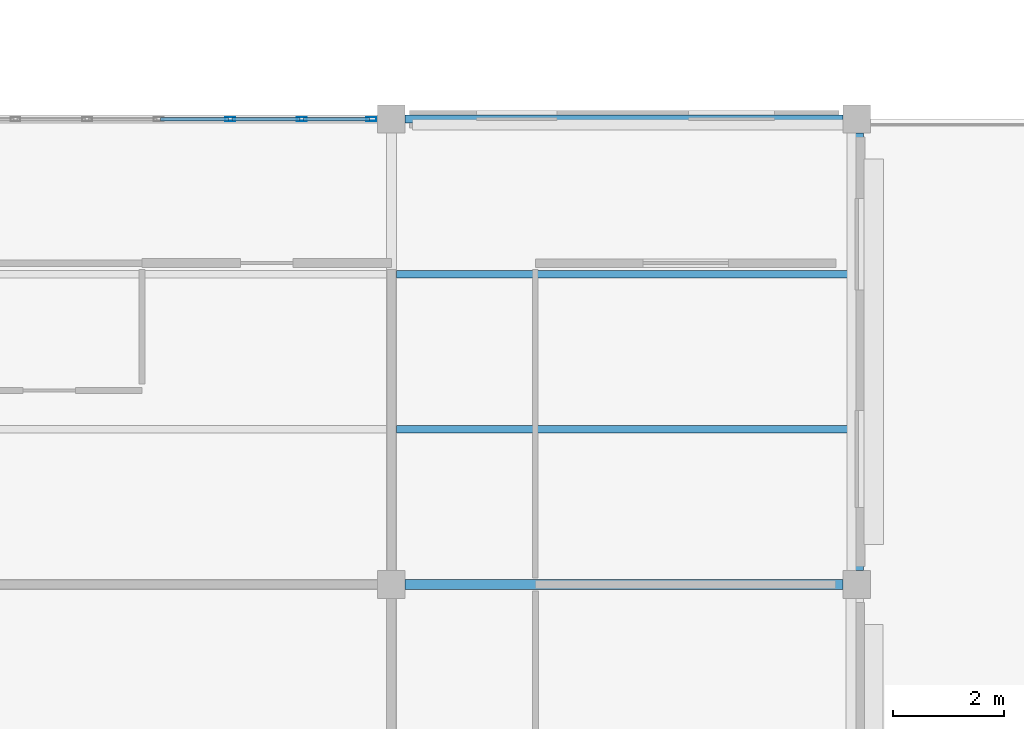
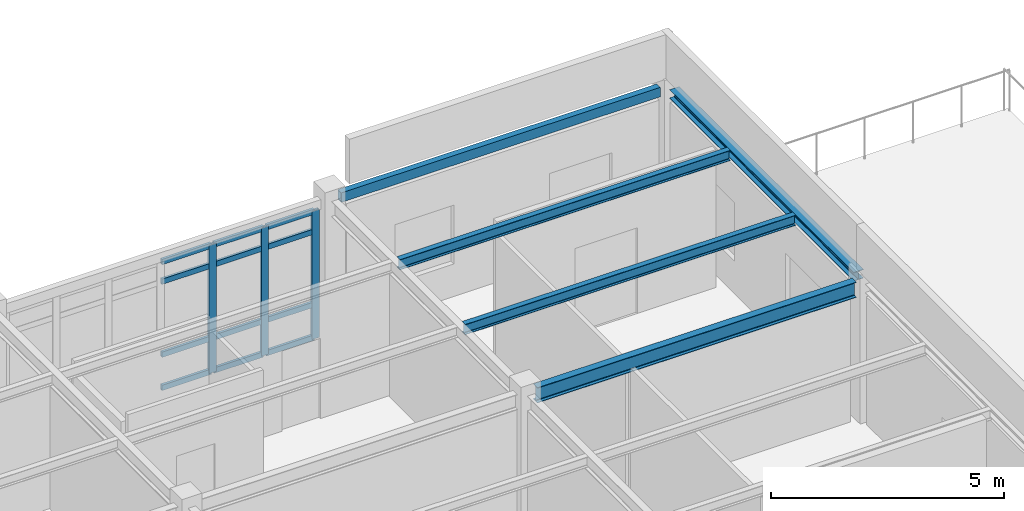
# One storey, part 9 of 53: 15 members, 5 beams, 1 element without a shape of its own.
"""IFC4 building model written with IfcOpenShell, lengths in metres."""

from ifc_helpers import new_model, si_unit, direction, frame, origin, origin_2d, place, context, subcontext, project, spatial, hollow_rectangle, i_section, extrude, material, layer, layer_set, material_profile, profile_set, type_object, element, aggregate, save


model = new_model("IFC4")

# Units and contexts
model_context = context("Model", 3, precision=1e-05, world=origin(), true_north=direction((0.0, 1.0)))
body_context = subcontext(model_context, "Body", "Model", "MODEL_VIEW")
ifc_project = project(units=[si_unit("LENGTHUNIT", "METRE"), si_unit("AREAUNIT", "SQUARE_METRE"), si_unit("VOLUMEUNIT", "CUBIC_METRE"), si_unit("PLANEANGLEUNIT", "RADIAN"), si_unit("MASSUNIT", "GRAM", prefix="KILO")], contexts=[model_context])

# Site, building, storey
site_placement = place(None, origin())
site = spatial("IfcSite", under=ifc_project, at=site_placement, CompositionType="ELEMENT")
building_placement = place(site_placement, origin())
building = spatial("IfcBuilding", under=site, at=building_placement, Name="Bramfleet General Hospital", CompositionType="ELEMENT")
storey_placement = place(building_placement, frame((0.0, 0.0, 26.39990234375)))
storey = spatial("IfcBuildingStorey", under=building, at=storey_placement, Name="L06", CompositionType="ELEMENT", Elevation=26.39990234375)

# Beams
ifc_material_1 = material(Name="Steel S355", Category="steel")
ifc_material_profile_1 = material_profile(ifc_material_1, i_section(OverallWidth=0.239990234375, OverallDepth=0.22998046875, WebThickness=0.007568359375, FlangeThickness=0.011962890625, FilletRadius=0.02099609375, at=origin_2d()), Name="HEA 240")
ifc_profile_set_1 = profile_set([ifc_material_profile_1], Name="Steel S355")
beam_type_1 = type_object("IfcBeamType", Name="BM-HEA240", PredefinedType="SPANDREL", material=ifc_profile_set_1)
beam_1_placement = place(storey_placement, frame((142.800048828125, 17.050048828125, 3.505126953125), z_axis=(0.0, 1.0, 0.0), x_axis=(-1.0, 0.0, 0.0)))
element("IfcBeam", 1, at=beam_1_placement, inside=storey, type_object=beam_type_1, Name="L06 Grid Beam Y 17-02", PredefinedType="SPANDREL", context=body_context, shape_type="SweptSolid", body=[
    extrude(i_section(OverallWidth=0.239990234375, OverallDepth=0.22998046875, WebThickness=0.007568359375, FlangeThickness=0.011962890625, FilletRadius=0.02099609375, at=origin_2d()), origin(), (0.0, 0.0, 1.0), 7.89990234375),
])
ifc_material_profile_2 = material_profile(ifc_material_1, i_section(OverallWidth=0.135009765625, OverallDepth=0.27001953125, WebThickness=0.006591796875, FlangeThickness=0.01025390625, FilletRadius=0.014892578125, at=origin_2d()), Name="IPE 270")
ifc_profile_set_2 = profile_set([ifc_material_profile_2], Name="Steel S355")
beam_type_2 = type_object("IfcBeamType", Name="BM-IPE270", PredefinedType="JOIST", material=ifc_profile_set_2)
for number, where, z_axis, x_axis, name in (
    (2, (134.489990234375, 19.60009765625, 3.485107421875), (1.0, 0.0, 0.0), (0.0, 1.0, 0.0), "L06 Secondary Joist 16-02-1"),
    (3, (134.489990234375, 22.39990234375, 3.485107421875), (1.0, 0.0, 0.0), (0.0, 1.0, 0.0), "L06 Secondary Joist 16-02-2"),
):
    element("IfcBeam", number, at=place(storey_placement, frame(where, z_axis=z_axis, x_axis=x_axis)), inside=storey, type_object=beam_type_2, Name=name, PredefinedType="JOIST", context=body_context, shape_type="SweptSolid", body=[
        extrude(i_section(OverallWidth=0.135009765625, OverallDepth=0.27001953125, WebThickness=0.006591796875, FlangeThickness=0.01025390625, FilletRadius=0.014892578125, at=origin_2d()), origin(), (0.0, 0.0, 1.0), 8.18994140625),
    ])
ifc_material_profile_3 = material_profile(ifc_material_1, i_section(OverallWidth=0.179931640625, OverallDepth=0.39990234375, WebThickness=0.008544921875, FlangeThickness=0.013427734375, FilletRadius=0.02099609375, at=origin_2d()), Name="IPE 400")
ifc_profile_set_3 = profile_set([ifc_material_profile_3], Name="Steel S355")
beam_type_3 = type_object("IfcBeamType", Name="BM-IPE400", PredefinedType="BEAM", material=ifc_profile_set_3)
beam_2_placement = place(storey_placement, frame((134.64990234375, 16.800048828125, 3.420166015625), z_axis=(1.0, 0.0, 0.0), x_axis=(0.0, 1.0, 0.0)))
element("IfcBeam", 4, at=beam_2_placement, inside=storey, type_object=beam_type_3, Name="L06 Grid Beam X 16-02", PredefinedType="BEAM", context=body_context, shape_type="SweptSolid", body=[
    extrude(i_section(OverallWidth=0.179931640625, OverallDepth=0.39990234375, WebThickness=0.008544921875, FlangeThickness=0.013427734375, FilletRadius=0.02099609375, at=origin_2d()), origin(), (0.0, 0.0, 1.0), 7.900146484375),
])
ifc_material_profile_4 = material_profile(ifc_material_1, hollow_rectangle(XDim=0.14990234375, YDim=0.25, WallThickness=0.010009765625, at=origin_2d()), Name="RHS 250x150x10.0")
ifc_profile_set_4 = profile_set([ifc_material_profile_4], Name="Steel S355")
beam_type_4 = type_object("IfcBeamType", Name="BM-RHS250", PredefinedType="SPANDREL", material=ifc_profile_set_4)
beam_3_placement = place(storey_placement, frame((134.64990234375, 25.199951171875, 3.4951171875), z_axis=(1.0, 0.0, 0.0), x_axis=(0.0, 1.0, 0.0)))
element("IfcBeam", 5, at=beam_3_placement, inside=storey, type_object=beam_type_4, Name="L06 Grid Beam X 16-03", PredefinedType="SPANDREL", context=body_context, shape_type="SweptSolid", body=[
    extrude(hollow_rectangle(XDim=0.14990234375, YDim=0.25, WallThickness=0.010009765625, at=origin_2d()), origin(), (0.0, 0.0, 1.0), 7.900146484375),
])

# Curtain wall, members
ifc_material_2 = material(Name="Anodised aluminium and low-E triple glazing", Category="aluminium")
ifc_layer = layer(ifc_material_2, 0.179931640625, Name="CWT-CW-03")
ifc_layer_set = layer_set([ifc_layer], Name="Anodised aluminium and low-E triple glazing")
curtain_wall_type = type_object("IfcCurtainWallType", Name="CWT-CW-03", PredefinedType="USERDEFINED", material=ifc_layer_set)
curtain_wall_placement = place(storey_placement, origin())
curtain_wall = element("IfcCurtainWall", 6, at=curtain_wall_placement, inside=storey, type_object=curtain_wall_type, Name="L06 Curtain Wall 219", ObjectType="Unitised curtain wall", PredefinedType="USERDEFINED")
ifc_material_3 = material(Name="Anodised aluminium EN AW-6060", Category="aluminium")
ifc_material_profile_5 = material_profile(ifc_material_3, hollow_rectangle(XDim=0.070068359375, YDim=0.179931640625, WallThickness=0.00390625, at=origin_2d()), Name="ALU 180x70x4.0")
ifc_profile_set_5 = profile_set([ifc_material_profile_5], Name="Anodised aluminium EN AW-6060")
member_type_1 = type_object("IfcMemberType", Name="CWM-ALU180", PredefinedType="MULLION", material=ifc_profile_set_5)
member_1_placement = place(storey_placement, frame((131.49169921875, 25.199951171875, 0.0), z_axis=(0.0, 0.0, 1.0), x_axis=(0.0, 1.0, 0.0)))
member_1 = element("IfcMember", 7, at=member_1_placement, type_object=member_type_1, Name="CW-03 mullion 5", PredefinedType="MULLION", context=body_context, shape_type="SweptSolid", body=[
    extrude(hollow_rectangle(XDim=0.070068359375, YDim=0.179931640625, WallThickness=0.00390625, at=origin_2d()), origin(), (0.0, 0.0, 1.0), 3.360107421875),
])
member_2_placement = place(storey_placement, frame((132.783447265625, 25.199951171875, 0.0), z_axis=(0.0, 0.0, 1.0), x_axis=(0.0, 1.0, 0.0)))
member_2 = element("IfcMember", 8, at=member_2_placement, type_object=member_type_1, Name="CW-03 mullion 6", PredefinedType="MULLION", context=body_context, shape_type="SweptSolid", body=[
    extrude(hollow_rectangle(XDim=0.070068359375, YDim=0.179931640625, WallThickness=0.00390625, at=origin_2d()), origin(), (0.0, 0.0, 1.0), 3.360107421875),
])
member_3_placement = place(storey_placement, frame((134.0400390625, 25.199951171875, 0.0), z_axis=(0.0, 0.0, 1.0), x_axis=(0.0, 1.0, 0.0)))
member_3 = element("IfcMember", 9, at=member_3_placement, type_object=member_type_1, Name="CW-03 mullion 7", PredefinedType="MULLION", context=body_context, shape_type="SweptSolid", body=[
    extrude(hollow_rectangle(XDim=0.070068359375, YDim=0.179931640625, WallThickness=0.00390625, at=origin_2d()), origin(), (0.0, 0.0, 1.0), 3.360107421875),
])
ifc_material_profile_6 = material_profile(ifc_material_3, hollow_rectangle(XDim=0.06494140625, YDim=0.139892578125, WallThickness=0.00390625, at=origin_2d()), Name="ALU 140x65x4.0")
ifc_profile_set_6 = profile_set([ifc_material_profile_6], Name="Anodised aluminium EN AW-6060")
member_type_2 = type_object("IfcMemberType", Name="CWT-ALU140", PredefinedType="USERDEFINED", material=ifc_profile_set_6)
member_4_placement = place(storey_placement, frame((130.235107421875, 25.199951171875, 0.03271484375), z_axis=(1.0, 0.0, 0.0), x_axis=(0.0, 1.0, 0.0)))
member_4 = element("IfcMember", 10, at=member_4_placement, type_object=member_type_2, Name="CW-03 transom 4.1", ObjectType="TRANSOM", PredefinedType="USERDEFINED", context=body_context, shape_type="SweptSolid", body=[
    extrude(hollow_rectangle(XDim=0.06494140625, YDim=0.139892578125, WallThickness=0.00390625, at=origin_2d()), origin(), (0.0, 0.0, 1.0), 1.2216796875),
])
member_5_placement = place(storey_placement, frame((130.235107421875, 25.199951171875, 0.900146484375), z_axis=(1.0, 0.0, 0.0), x_axis=(0.0, 1.0, 0.0)))
member_5 = element("IfcMember", 11, at=member_5_placement, type_object=member_type_2, Name="CW-03 transom 4.2", ObjectType="TRANSOM", PredefinedType="USERDEFINED", context=body_context, shape_type="SweptSolid", body=[
    extrude(hollow_rectangle(XDim=0.06494140625, YDim=0.139892578125, WallThickness=0.00390625, at=origin_2d()), origin(), (0.0, 0.0, 1.0), 1.2216796875),
])
member_6_placement = place(storey_placement, frame((130.235107421875, 25.199951171875, 2.81005859375), z_axis=(1.0, 0.0, 0.0), x_axis=(0.0, 1.0, 0.0)))
member_6 = element("IfcMember", 12, at=member_6_placement, type_object=member_type_2, Name="CW-03 transom 4.3", ObjectType="TRANSOM", PredefinedType="USERDEFINED", context=body_context, shape_type="SweptSolid", body=[
    extrude(hollow_rectangle(XDim=0.06494140625, YDim=0.139892578125, WallThickness=0.00390625, at=origin_2d()), origin(), (0.0, 0.0, 1.0), 1.2216796875),
])
member_7_placement = place(storey_placement, frame((130.235107421875, 25.199951171875, 3.32763671875), z_axis=(1.0, 0.0, 0.0), x_axis=(0.0, 1.0, 0.0)))
member_7 = element("IfcMember", 13, at=member_7_placement, type_object=member_type_2, Name="CW-03 transom 4.4", ObjectType="TRANSOM", PredefinedType="USERDEFINED", context=body_context, shape_type="SweptSolid", body=[
    extrude(hollow_rectangle(XDim=0.06494140625, YDim=0.139892578125, WallThickness=0.00390625, at=origin_2d()), origin(), (0.0, 0.0, 1.0), 1.2216796875),
])
member_8_placement = place(storey_placement, frame((131.526611328125, 25.199951171875, 0.03271484375), z_axis=(1.0, 0.0, 0.0), x_axis=(0.0, 1.0, 0.0)))
member_8 = element("IfcMember", 14, at=member_8_placement, type_object=member_type_2, Name="CW-03 transom 5.1", ObjectType="TRANSOM", PredefinedType="USERDEFINED", context=body_context, shape_type="SweptSolid", body=[
    extrude(hollow_rectangle(XDim=0.06494140625, YDim=0.139892578125, WallThickness=0.00390625, at=origin_2d()), origin(), (0.0, 0.0, 1.0), 1.2216796875),
])
member_9_placement = place(storey_placement, frame((131.526611328125, 25.199951171875, 0.900146484375), z_axis=(1.0, 0.0, 0.0), x_axis=(0.0, 1.0, 0.0)))
member_9 = element("IfcMember", 15, at=member_9_placement, type_object=member_type_2, Name="CW-03 transom 5.2", ObjectType="TRANSOM", PredefinedType="USERDEFINED", context=body_context, shape_type="SweptSolid", body=[
    extrude(hollow_rectangle(XDim=0.06494140625, YDim=0.139892578125, WallThickness=0.00390625, at=origin_2d()), origin(), (0.0, 0.0, 1.0), 1.2216796875),
])
member_10_placement = place(storey_placement, frame((131.526611328125, 25.199951171875, 2.81005859375), z_axis=(1.0, 0.0, 0.0), x_axis=(0.0, 1.0, 0.0)))
member_10 = element("IfcMember", 16, at=member_10_placement, type_object=member_type_2, Name="CW-03 transom 5.3", ObjectType="TRANSOM", PredefinedType="USERDEFINED", context=body_context, shape_type="SweptSolid", body=[
    extrude(hollow_rectangle(XDim=0.06494140625, YDim=0.139892578125, WallThickness=0.00390625, at=origin_2d()), origin(), (0.0, 0.0, 1.0), 1.2216796875),
])
member_11_placement = place(storey_placement, frame((131.526611328125, 25.199951171875, 3.32763671875), z_axis=(1.0, 0.0, 0.0), x_axis=(0.0, 1.0, 0.0)))
member_11 = element("IfcMember", 17, at=member_11_placement, type_object=member_type_2, Name="CW-03 transom 5.4", ObjectType="TRANSOM", PredefinedType="USERDEFINED", context=body_context, shape_type="SweptSolid", body=[
    extrude(hollow_rectangle(XDim=0.06494140625, YDim=0.139892578125, WallThickness=0.00390625, at=origin_2d()), origin(), (0.0, 0.0, 1.0), 1.2216796875),
])
member_12_placement = place(storey_placement, frame((132.818359375, 25.199951171875, 0.03271484375), z_axis=(1.0, 0.0, 0.0), x_axis=(0.0, 1.0, 0.0)))
member_12 = element("IfcMember", 18, at=member_12_placement, type_object=member_type_2, Name="CW-03 transom 6.1", ObjectType="TRANSOM", PredefinedType="USERDEFINED", context=body_context, shape_type="SweptSolid", body=[
    extrude(hollow_rectangle(XDim=0.06494140625, YDim=0.139892578125, WallThickness=0.00390625, at=origin_2d()), origin(), (0.0, 0.0, 1.0), 1.1865234375),
])
member_13_placement = place(storey_placement, frame((132.818359375, 25.199951171875, 0.900146484375), z_axis=(1.0, 0.0, 0.0), x_axis=(0.0, 1.0, 0.0)))
member_13 = element("IfcMember", 19, at=member_13_placement, type_object=member_type_2, Name="CW-03 transom 6.2", ObjectType="TRANSOM", PredefinedType="USERDEFINED", context=body_context, shape_type="SweptSolid", body=[
    extrude(hollow_rectangle(XDim=0.06494140625, YDim=0.139892578125, WallThickness=0.00390625, at=origin_2d()), origin(), (0.0, 0.0, 1.0), 1.1865234375),
])
member_14_placement = place(storey_placement, frame((132.818359375, 25.199951171875, 2.81005859375), z_axis=(1.0, 0.0, 0.0), x_axis=(0.0, 1.0, 0.0)))
member_14 = element("IfcMember", 20, at=member_14_placement, type_object=member_type_2, Name="CW-03 transom 6.3", ObjectType="TRANSOM", PredefinedType="USERDEFINED", context=body_context, shape_type="SweptSolid", body=[
    extrude(hollow_rectangle(XDim=0.06494140625, YDim=0.139892578125, WallThickness=0.00390625, at=origin_2d()), origin(), (0.0, 0.0, 1.0), 1.1865234375),
])
member_15_placement = place(storey_placement, frame((132.818359375, 25.199951171875, 3.32763671875), z_axis=(1.0, 0.0, 0.0), x_axis=(0.0, 1.0, 0.0)))
member_15 = element("IfcMember", 21, at=member_15_placement, type_object=member_type_2, Name="CW-03 transom 6.4", ObjectType="TRANSOM", PredefinedType="USERDEFINED", context=body_context, shape_type="SweptSolid", body=[
    extrude(hollow_rectangle(XDim=0.06494140625, YDim=0.139892578125, WallThickness=0.00390625, at=origin_2d()), origin(), (0.0, 0.0, 1.0), 1.1865234375),
])
aggregate(curtain_wall, [member_1, member_2, member_3, member_4, member_5, member_6, member_7, member_8, member_9, member_10, member_11, member_12, member_13, member_14, member_15])

save(model, "model.ifc")
